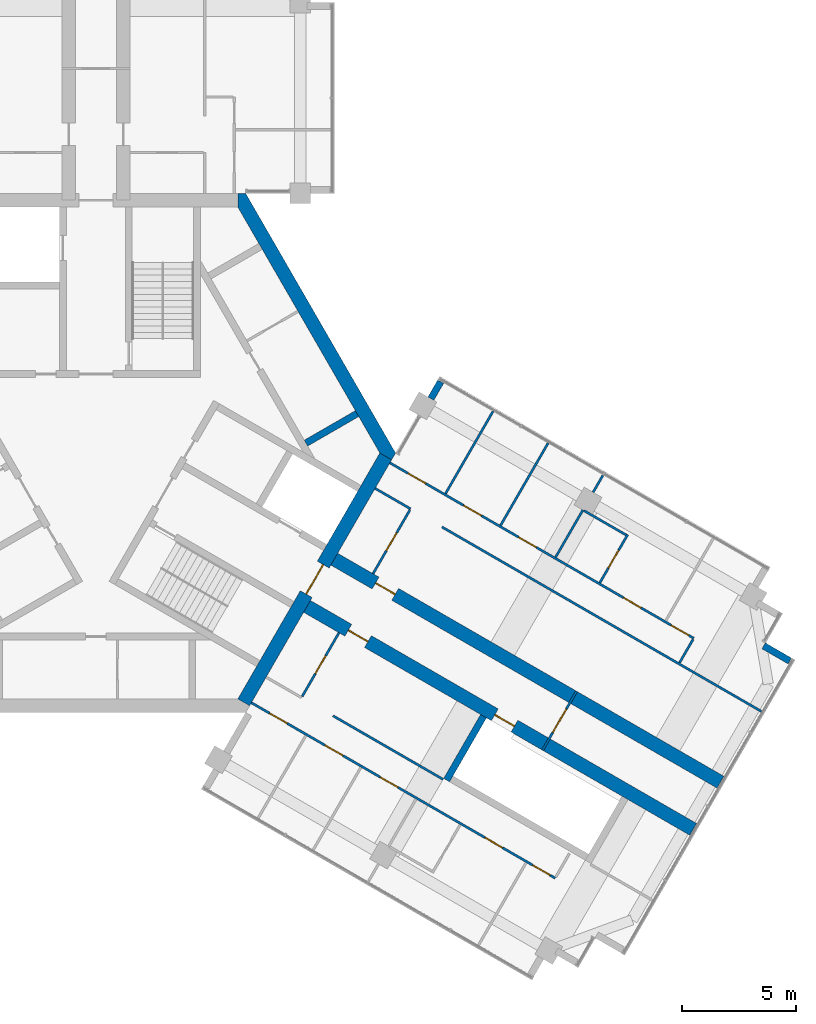
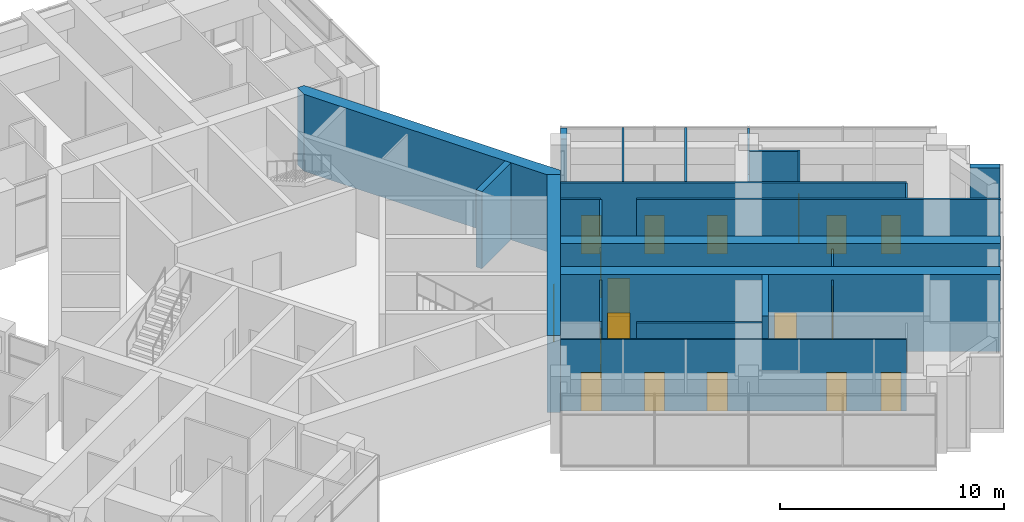
# One storey, part 11 of 14: 23 walls, 18 doors, 18 openings.
"""IFC4 building model written with IfcOpenShell, lengths in metres."""

from ifc_helpers import new_model, si_unit, direction, frame, frame_2d, origin, place, context, subcontext, project, spatial, polyline, rectangle, outline, extrude, material, layer, layer_set, type_object, element, fill, save


model = new_model("IFC4")

# Units and contexts
model_context = context("Model", 3, precision=1e-05, world=origin(), true_north=direction((0.0, 1.0)))
body_context = subcontext(model_context, "Body", "Model", "MODEL_VIEW")
ifc_project = project(units=[si_unit("LENGTHUNIT", "METRE"), si_unit("AREAUNIT", "SQUARE_METRE"), si_unit("VOLUMEUNIT", "CUBIC_METRE"), si_unit("PLANEANGLEUNIT", "RADIAN"), si_unit("MASSUNIT", "GRAM", prefix="KILO")], contexts=[model_context])

# Site, building, storey
site_placement = place(None, origin())
site = spatial("IfcSite", under=ifc_project, at=site_placement, CompositionType="ELEMENT")
building_placement = place(site_placement, origin())
building = spatial("IfcBuilding", under=site, at=building_placement, Name="Impinga Residences", CompositionType="ELEMENT")
storey_placement = place(building_placement, frame((0.0, 0.0, 291.550048828125)))
storey = spatial("IfcBuildingStorey", under=building, at=storey_placement, Name="L73", CompositionType="ELEMENT", Elevation=291.550048828125)

# Wall, opening, door
ifc_material_1 = material(Name="Concrete C60/75", Category="concrete")
ifc_layer_1 = layer(ifc_material_1, 0.60009765625)
ifc_layer_set_1 = layer_set([ifc_layer_1], Name="Concrete C60/75")
wall_type_1 = type_object("IfcWallType", Name="BW3 corridor buttress wall, L46 to L73 600", PredefinedType="SHEAR", material=ifc_layer_set_1)
wall_1_placement = place(storey_placement, frame((10.240234375, -4.526611328125, 0.0), z_axis=(0.0, 0.0, 1.0), x_axis=(0.866025922281, -0.499999101937, 0.0)))
wall_1 = element("IfcWall", 1, at=wall_1_placement, inside=storey, type_object=wall_type_1, Name="Corridor wall BW3 EC L73", PredefinedType="SHEAR", context=body_context, shape_type="SweptSolid", body=[
    extrude(rectangle(XDim=19.93798828125, YDim=0.60009765625, at=frame_2d((9.968994140625, 0.0))), origin(), (0.0, 0.0, 1.0), 4.199951171875),
])
opening_1_placement = place(wall_1_placement, frame((2.39990234375, 0.0, 0.0)))
opening_1 = element("IfcOpeningElement", 2, at=opening_1_placement, cuts=wall_1, Name="Opening D1", PredefinedType="OPENING", context=body_context, shape_type="SweptSolid", body=[
    extrude(rectangle(XDim=1.0, YDim=2.10009765625, at=frame_2d((0.5, 1.050048828125))), frame((0.0, 0.31005859375, 0.0), z_axis=(0.0, -1.0, 0.0), x_axis=(1.0, 0.0, 0.0)), (0.0, 0.0, 1.0), 0.6201171875),
])
ifc_material_2 = material(Name="Timber door set", Category="wood")
door_type_1 = type_object("IfcDoorType", Name="D1 apartment entrance door 1000x2100", OperationType="SINGLE_SWING_LEFT", PredefinedType="DOOR", material=ifc_material_2)
door_1_placement = place(opening_1_placement, origin())
door_1 = element("IfcDoor", 3, at=door_1_placement, inside=storey, type_object=door_type_1, Name="Apartment L73-EA1 entrance", OperationType="SINGLE_SWING_LEFT", OverallHeight=2.10009765625, OverallWidth=1.0, PredefinedType="DOOR", context=body_context, shape_type="SweptSolid", body=[
    extrude(rectangle(XDim=1.0, YDim=2.10009765625, at=frame_2d((0.5, 1.050048828125))), frame((0.0, 0.02490234375, 0.0), z_axis=(0.0, -1.0, 0.0), x_axis=(1.0, 0.0, 0.0)), (0.0, 0.0, 1.0), 0.050048828125),
])
fill(opening_1, door_1)

# Wall, openings, doors
wall_2_placement = place(storey_placement, frame((9.040283203125, -6.60498046875, 0.0), z_axis=(0.0, 0.0, 1.0), x_axis=(0.866025922281, -0.499999101937, 0.0)))
wall_2 = element("IfcWall", 4, at=wall_2_placement, inside=storey, type_object=wall_type_1, Name="Corridor wall BW3 ED L73", PredefinedType="SHEAR", context=body_context, shape_type="SweptSolid", body=[
    extrude(rectangle(XDim=19.93798828125, YDim=0.60009765625, at=frame_2d((9.968994140625, 0.0))), origin(), (0.0, 0.0, 1.0), 4.199951171875),
])
opening_2_placement = place(wall_2_placement, frame((9.85009765625, 0.0, 0.0)))
opening_2 = element("IfcOpeningElement", 5, at=opening_2_placement, cuts=wall_2, Name="Opening D5", PredefinedType="OPENING", context=body_context, shape_type="SweptSolid", body=[
    extrude(rectangle(XDim=1.0, YDim=2.10009765625, at=frame_2d((0.5, 1.050048828125))), frame((0.0, 0.31005859375, 0.0), z_axis=(0.0, -1.0, 0.0), x_axis=(1.0, 0.0, 0.0)), (0.0, 0.0, 1.0), 0.6201171875),
])
opening_3_placement = place(wall_2_placement, frame((2.39990234375, 0.0, 0.0)))
opening_3 = element("IfcOpeningElement", 6, at=opening_3_placement, cuts=wall_2, Name="Opening D1", PredefinedType="OPENING", context=body_context, shape_type="SweptSolid", body=[
    extrude(rectangle(XDim=1.0, YDim=2.10009765625, at=frame_2d((0.5, 1.050048828125))), frame((0.0, 0.31005859375, 0.0), z_axis=(0.0, -1.0, 0.0), x_axis=(1.0, 0.0, 0.0)), (0.0, 0.0, 1.0), 0.6201171875),
])
door_2_placement = place(opening_3_placement, origin())
door_2 = element("IfcDoor", 7, at=door_2_placement, inside=storey, type_object=door_type_1, Name="Apartment L73-EF1 entrance", OperationType="SINGLE_SWING_LEFT", OverallHeight=2.10009765625, OverallWidth=1.0, PredefinedType="DOOR", context=body_context, shape_type="SweptSolid", body=[
    extrude(rectangle(XDim=1.0, YDim=2.10009765625, at=frame_2d((0.5, 1.050048828125))), frame((0.0, 0.02490234375, 0.0), z_axis=(0.0, -1.0, 0.0), x_axis=(1.0, 0.0, 0.0)), (0.0, 0.0, 1.0), 0.050048828125),
])
fill(opening_3, door_2)
door_type_2 = type_object("IfcDoorType", Name="D5 stair door 1000x2100", OperationType="SINGLE_SWING_LEFT", PredefinedType="DOOR", material=ifc_material_2)
door_3_placement = place(opening_2_placement, origin())
door_3 = element("IfcDoor", 8, at=door_3_placement, inside=storey, type_object=door_type_2, Name="Wing stair door E", OperationType="SINGLE_SWING_RIGHT", OverallHeight=2.10009765625, OverallWidth=1.0, PredefinedType="DOOR", context=body_context, shape_type="SweptSolid", body=[
    extrude(rectangle(XDim=1.0, YDim=2.10009765625, at=frame_2d((0.5, 1.050048828125))), frame((0.0, 0.02490234375, 0.0), z_axis=(0.0, -1.0, 0.0), x_axis=(1.0, 0.0, 0.0)), (0.0, 0.0, 1.0), 0.050048828125),
])
fill(opening_2, door_3)

# Wall, opening, door
ifc_material_3 = material(Name="Concrete blockwork", Category="masonry")
ifc_layer_2 = layer(ifc_material_3, 0.10009765625)
ifc_layer_set_2 = layer_set([ifc_layer_2], Name="CP1 core room partition, blockwork 100")
wall_type_2 = type_object("IfcWallType", Name="CP1 core room partition, blockwork 100", PredefinedType="PARTITIONING", material=ifc_layer_set_2)
wall_3_placement = place(storey_placement, frame((21.172119140625, -10.49169921875, 0.0), z_axis=(0.0, 0.0, 1.0), x_axis=(-0.499990139034, -0.866031096941, 0.0)))
wall_3 = element("IfcWall", 9, at=wall_3_placement, inside=storey, type_object=wall_type_2, Name="Core room partition, blockwork L73:E:LNG", PredefinedType="PARTITIONING", context=body_context, shape_type="SweptSolid", body=[
    extrude(rectangle(XDim=3.0, YDim=0.10009765625, at=frame_2d((1.5, 0.0))), origin(), (0.0, 0.0, 1.0), 3.89990234375),
])
opening_4_placement = place(wall_3_placement, frame((0.89990234375, 0.0, 0.0)))
opening_4 = element("IfcOpeningElement", 10, at=opening_4_placement, cuts=wall_3, Name="Opening D3", PredefinedType="OPENING", context=body_context, shape_type="SweptSolid", body=[
    extrude(rectangle(XDim=1.199951171875, YDim=2.10009765625, at=frame_2d((0.60009765625, 1.050048828125))), frame((0.0, 0.06005859375, 0.0), z_axis=(0.0, -1.0, 0.0), x_axis=(1.0, 0.0, 0.0)), (0.0, 0.0, 1.0), 0.1201171875),
])
door_type_3 = type_object("IfcDoorType", Name="D3 room door, leaf and a half 1200x2100", OperationType="DOUBLE_SWING_LEFT", PredefinedType="DOOR", material=ifc_material_2)
door_4_placement = place(opening_4_placement, origin())
door_4 = element("IfcDoor", 11, at=door_4_placement, inside=storey, type_object=door_type_3, Name="Residents' lounge door E", OperationType="DOUBLE_SWING_LEFT", OverallHeight=2.10009765625, OverallWidth=1.199951171875, PredefinedType="DOOR", context=body_context, shape_type="SweptSolid", body=[
    extrude(rectangle(XDim=1.199951171875, YDim=2.10009765625, at=frame_2d((0.60009765625, 1.050048828125))), frame((0.0, 0.02490234375, 0.0), z_axis=(0.0, -1.0, 0.0), x_axis=(1.0, 0.0, 0.0)), (0.0, 0.0, 1.0), 0.050048828125),
])
fill(opening_4, door_4)

# Walls
ifc_material_4 = material(Name="Stone facing on blockwork", Category="masonry")
ifc_layer_3 = layer(ifc_material_4, 0.300048828125)
ifc_layer_set_3 = layer_set([ifc_layer_3], Name="EW2 external wall, stone facing on blockwork 300")
wall_type_3 = type_object("IfcWallType", Name="EW2 external wall, stone facing on blockwork 300", PredefinedType="SOLIDWALL", material=ifc_layer_set_3)
wall_4_placement = place(storey_placement, frame((29.41015625, -8.492919921875, 0.0), z_axis=(0.0, 0.0, 1.0), x_axis=(0.866020521143, -0.500008456887, 0.0)))
element("IfcWall", 12, at=wall_4_placement, inside=storey, type_object=wall_type_3, Name="External wall EW2 L73", PredefinedType="SOLIDWALL", context=body_context, shape_type="SweptSolid", body=[
    extrude(rectangle(XDim=1.330078125, YDim=0.300048828125, at=frame_2d((0.6650390625, 0.0))), origin(), (0.0, 0.0, 1.0), 3.89990234375),
])
wall_5_placement = place(storey_placement, frame((14.75634765625, 2.395751953125, 0.0), z_axis=(0.0, 0.0, 1.0), x_axis=(0.500098305348, 0.865968639725, 0.0)))
element("IfcWall", 13, at=wall_5_placement, inside=storey, type_object=wall_type_3, Name="External wall EW2 L73", PredefinedType="SOLIDWALL", context=body_context, shape_type="SweptSolid", body=[
    extrude(rectangle(XDim=0.862060546875, YDim=0.300048828125, at=frame_2d((0.43115234375, 0.0))), origin(), (0.0, 0.0, 1.0), 3.89990234375),
])
ifc_material_5 = material(Name="Gypsum board on steel studs", Category="steel")
ifc_layer_4 = layer(ifc_material_5, 0.10009765625)
ifc_layer_set_4 = layer_set([ifc_layer_4], Name="Gypsum board on steel studs")
wall_type_4 = type_object("IfcWallType", Name="IP1 partition 100", PredefinedType="PARTITIONING", material=ifc_layer_set_4)
wall_6_placement = place(storey_placement, frame((12.300048828125, -1.558837890625, 0.0), z_axis=(0.0, 0.0, 1.0), x_axis=(0.866047807691, -0.499961193289, 0.0)))
element("IfcWall", 14, at=wall_6_placement, inside=storey, type_object=wall_type_4, Name="Partition L73-EA1:DIV0", PredefinedType="PARTITIONING", context=body_context, shape_type="SweptSolid", body=[
    extrude(rectangle(XDim=1.800048828125, YDim=0.10009765625, at=frame_2d((0.89990234375, 0.0))), origin(), (0.0, 0.0, 1.0), 3.89990234375),
])
wall_7_placement = place(storey_placement, frame((15.244384765625, -3.2587890625, 0.0), z_axis=(0.0, 0.0, 1.0), x_axis=(0.866023082401, -0.500004020733, 0.0)))
element("IfcWall", 15, at=wall_7_placement, inside=storey, type_object=wall_type_4, Name="Partition L73-EA1:DIV1", PredefinedType="PARTITIONING", context=body_context, shape_type="SweptSolid", body=[
    extrude(rectangle(XDim=16.237060546875, YDim=0.10009765625, at=frame_2d((8.11865234375, 0.0))), origin(), (0.0, 0.0, 1.0), 3.89990234375),
])

# Wall, openings, doors
wall_8_placement = place(storey_placement, frame((12.949951171875, -0.43310546875, 0.0), z_axis=(0.0, 0.0, 1.0), x_axis=(0.866030066916, -0.499991923133, 0.0)))
wall_8 = element("IfcWall", 16, at=wall_8_placement, inside=storey, type_object=wall_type_4, Name="Partition L73-EA1:STRIP", PredefinedType="PARTITIONING", context=body_context, shape_type="SweptSolid", body=[
    extrude(rectangle(XDim=15.449951171875, YDim=0.10009765625, at=frame_2d((7.72509765625, 0.0))), origin(), (0.0, 0.0, 1.0), 3.89990234375),
])
opening_5_placement = place(wall_8_placement, frame((0.925048828125, 0.0, 0.0)))
opening_5 = element("IfcOpeningElement", 17, at=opening_5_placement, cuts=wall_8, Name="Opening D2", PredefinedType="OPENING", context=body_context, shape_type="SweptSolid", body=[
    extrude(rectangle(XDim=0.89990234375, YDim=2.10009765625, at=frame_2d((0.449951171875, 1.050048828125))), frame((0.0, 0.06005859375, 0.0), z_axis=(0.0, -1.0, 0.0), x_axis=(1.0, 0.0, 0.0)), (0.0, 0.0, 1.0), 0.1201171875),
])
opening_6_placement = place(wall_8_placement, frame((3.75, 0.0, 0.0)))
opening_6 = element("IfcOpeningElement", 18, at=opening_6_placement, cuts=wall_8, Name="Opening D2", PredefinedType="OPENING", context=body_context, shape_type="SweptSolid", body=[
    extrude(rectangle(XDim=0.89990234375, YDim=2.10009765625, at=frame_2d((0.449951171875, 1.050048828125))), frame((0.0, 0.06005859375, 0.0), z_axis=(0.0, -1.0, 0.0), x_axis=(1.0, 0.0, 0.0)), (0.0, 0.0, 1.0), 0.1201171875),
])
opening_7_placement = place(wall_8_placement, frame((6.550048828125, 0.0, 0.0)))
opening_7 = element("IfcOpeningElement", 19, at=opening_7_placement, cuts=wall_8, Name="Opening D2", PredefinedType="OPENING", context=body_context, shape_type="SweptSolid", body=[
    extrude(rectangle(XDim=0.89990234375, YDim=2.10009765625, at=frame_2d((0.449951171875, 1.050048828125))), frame((0.0, 0.06005859375, 0.0), z_axis=(0.0, -1.0, 0.0), x_axis=(1.0, 0.0, 0.0)), (0.0, 0.0, 1.0), 0.1201171875),
])
opening_8_placement = place(wall_8_placement, frame((11.875, 0.0, 0.0)))
opening_8 = element("IfcOpeningElement", 20, at=opening_8_placement, cuts=wall_8, Name="Opening D2", PredefinedType="OPENING", context=body_context, shape_type="SweptSolid", body=[
    extrude(rectangle(XDim=0.89990234375, YDim=2.10009765625, at=frame_2d((0.449951171875, 1.050048828125))), frame((0.0, 0.06005859375, 0.0), z_axis=(0.0, -1.0, 0.0), x_axis=(1.0, 0.0, 0.0)), (0.0, 0.0, 1.0), 0.1201171875),
])
opening_9_placement = place(wall_8_placement, frame((14.300048828125, 0.0, 0.0)))
opening_9 = element("IfcOpeningElement", 21, at=opening_9_placement, cuts=wall_8, Name="Opening D2", PredefinedType="OPENING", context=body_context, shape_type="SweptSolid", body=[
    extrude(rectangle(XDim=0.89990234375, YDim=2.10009765625, at=frame_2d((0.449951171875, 1.050048828125))), frame((0.0, 0.06005859375, 0.0), z_axis=(0.0, -1.0, 0.0), x_axis=(1.0, 0.0, 0.0)), (0.0, 0.0, 1.0), 0.1201171875),
])
door_type_4 = type_object("IfcDoorType", Name="D2 internal door 900x2100", OperationType="SINGLE_SWING_LEFT", PredefinedType="DOOR", material=ifc_material_2)
door_5_placement = place(opening_5_placement, origin())
door_5 = element("IfcDoor", 22, at=door_5_placement, inside=storey, type_object=door_type_4, Name="Apartment L73-EA1 room door", OperationType="SINGLE_SWING_LEFT", OverallHeight=2.10009765625, OverallWidth=0.89990234375, PredefinedType="DOOR", context=body_context, shape_type="SweptSolid", body=[
    extrude(rectangle(XDim=0.89990234375, YDim=2.10009765625, at=frame_2d((0.449951171875, 1.050048828125))), frame((0.0, 0.02490234375, 0.0), z_axis=(0.0, -1.0, 0.0), x_axis=(1.0, 0.0, 0.0)), (0.0, 0.0, 1.0), 0.050048828125),
])
fill(opening_5, door_5)
door_6_placement = place(opening_6_placement, origin())
door_6 = element("IfcDoor", 23, at=door_6_placement, inside=storey, type_object=door_type_4, Name="Apartment L73-EA1 room door", OperationType="SINGLE_SWING_LEFT", OverallHeight=2.10009765625, OverallWidth=0.89990234375, PredefinedType="DOOR", context=body_context, shape_type="SweptSolid", body=[
    extrude(rectangle(XDim=0.89990234375, YDim=2.10009765625, at=frame_2d((0.449951171875, 1.050048828125))), frame((0.0, 0.02490234375, 0.0), z_axis=(0.0, -1.0, 0.0), x_axis=(1.0, 0.0, 0.0)), (0.0, 0.0, 1.0), 0.050048828125),
])
fill(opening_6, door_6)
door_7_placement = place(opening_7_placement, origin())
door_7 = element("IfcDoor", 24, at=door_7_placement, inside=storey, type_object=door_type_4, Name="Apartment L73-EA1 room door", OperationType="SINGLE_SWING_LEFT", OverallHeight=2.10009765625, OverallWidth=0.89990234375, PredefinedType="DOOR", context=body_context, shape_type="SweptSolid", body=[
    extrude(rectangle(XDim=0.89990234375, YDim=2.10009765625, at=frame_2d((0.449951171875, 1.050048828125))), frame((0.0, 0.02490234375, 0.0), z_axis=(0.0, -1.0, 0.0), x_axis=(1.0, 0.0, 0.0)), (0.0, 0.0, 1.0), 0.050048828125),
])
fill(opening_7, door_7)
door_8_placement = place(opening_8_placement, origin())
door_8 = element("IfcDoor", 25, at=door_8_placement, inside=storey, type_object=door_type_4, Name="Apartment L73-EA1 room door", OperationType="SINGLE_SWING_RIGHT", OverallHeight=2.10009765625, OverallWidth=0.89990234375, PredefinedType="DOOR", context=body_context, shape_type="SweptSolid", body=[
    extrude(rectangle(XDim=0.89990234375, YDim=2.10009765625, at=frame_2d((0.449951171875, 1.050048828125))), frame((0.0, 0.02490234375, 0.0), z_axis=(0.0, -1.0, 0.0), x_axis=(1.0, 0.0, 0.0)), (0.0, 0.0, 1.0), 0.050048828125),
])
fill(opening_8, door_8)
door_9_placement = place(opening_9_placement, origin())
door_9 = element("IfcDoor", 26, at=door_9_placement, inside=storey, type_object=door_type_4, Name="Apartment L73-EA1 room door", OperationType="SINGLE_SWING_RIGHT", OverallHeight=2.10009765625, OverallWidth=0.89990234375, PredefinedType="DOOR", context=body_context, shape_type="SweptSolid", body=[
    extrude(rectangle(XDim=0.89990234375, YDim=2.10009765625, at=frame_2d((0.449951171875, 1.050048828125))), frame((0.0, 0.02490234375, 0.0), z_axis=(0.0, -1.0, 0.0), x_axis=(1.0, 0.0, 0.0)), (0.0, 0.0, 1.0), 0.050048828125),
])
fill(opening_9, door_9)

# Wall
wall_9_placement = place(storey_placement, frame((25.705078125, -9.240478515625, 0.0), z_axis=(0.0, 0.0, 1.0), x_axis=(0.50012165622, 0.865955154139, 0.0)))
element("IfcWall", 27, at=wall_9_placement, inside=storey, type_object=wall_type_4, Name="Partition L73-EA1:SE1", PredefinedType="PARTITIONING", context=body_context, shape_type="SweptSolid", body=[
    extrude(rectangle(XDim=1.199951171875, YDim=0.10009765625, at=frame_2d((0.60009765625, 0.0))), origin(), (0.0, 0.0, 1.0), 3.89990234375),
])

# Wall, opening, door
wall_10_placement = place(storey_placement, frame((12.208740234375, -5.316650390625, 0.0), z_axis=(0.0, 0.0, 1.0), x_axis=(0.500017246033, 0.866015446554, 0.0)))
wall_10 = element("IfcWall", 28, at=wall_10_placement, inside=storey, type_object=wall_type_4, Name="Partition L73-EA1:IB1", PredefinedType="PARTITIONING", context=body_context, shape_type="SweptSolid", body=[
    extrude(rectangle(XDim=3.25, YDim=0.10009765625, at=frame_2d((1.625, 0.0))), origin(), (0.0, 0.0, 1.0), 3.89990234375),
])
opening_10_placement = place(wall_10_placement, frame((1.175048828125, 0.0, 0.0)))
opening_10 = element("IfcOpeningElement", 29, at=opening_10_placement, cuts=wall_10, Name="Opening D2", PredefinedType="OPENING", context=body_context, shape_type="SweptSolid", body=[
    extrude(rectangle(XDim=0.89990234375, YDim=2.10009765625, at=frame_2d((0.449951171875, 1.050048828125))), frame((0.0, 0.06005859375, 0.0), z_axis=(0.0, -1.0, 0.0), x_axis=(1.0, 0.0, 0.0)), (0.0, 0.0, 1.0), 0.1201171875),
])
door_10_placement = place(opening_10_placement, origin())
door_10 = element("IfcDoor", 30, at=door_10_placement, inside=storey, type_object=door_type_4, Name="Apartment L73-EA1 bathroom door", OperationType="SINGLE_SWING_LEFT", OverallHeight=2.10009765625, OverallWidth=0.89990234375, PredefinedType="DOOR", context=body_context, shape_type="SweptSolid", body=[
    extrude(rectangle(XDim=0.89990234375, YDim=2.10009765625, at=frame_2d((0.449951171875, 1.050048828125))), frame((0.0, 0.02490234375, 0.0), z_axis=(0.0, -1.0, 0.0), x_axis=(1.0, 0.0, 0.0)), (0.0, 0.0, 1.0), 0.050048828125),
])
fill(opening_10, door_10)

# Walls
wall_11_placement = place(storey_placement, frame((15.39990234375, -1.789794921875, 0.0), z_axis=(0.0, 0.0, 1.0), x_axis=(0.499983227221, 0.866035087336, 0.0)))
element("IfcWall", 31, at=wall_11_placement, inside=storey, type_object=wall_type_4, Name="Partition L73-EA1:OB1", PredefinedType="PARTITIONING", context=body_context, shape_type="SweptSolid", body=[
    extrude(rectangle(XDim=4.187255859375, YDim=0.10009765625, at=frame_2d((2.09375, 0.0))), origin(), (0.0, 0.0, 1.0), 3.89990234375),
])
wall_12_placement = place(storey_placement, frame((17.82470703125, -3.189697265625, 0.0), z_axis=(0.0, 0.0, 1.0), x_axis=(0.500008475426, 0.86602051044, 0.0)))
element("IfcWall", 32, at=wall_12_placement, inside=storey, type_object=wall_type_4, Name="Partition L73-EA1:OB2", PredefinedType="PARTITIONING", context=body_context, shape_type="SweptSolid", body=[
    extrude(rectangle(XDim=4.18701171875, YDim=0.10009765625, at=frame_2d((2.093505859375, 0.0))), origin(), (0.0, 0.0, 1.0), 3.89990234375),
])
wall_13_placement = place(storey_placement, frame((20.24951171875, -4.589599609375, 0.0), z_axis=(0.0, 0.0, 1.0), x_axis=(0.500077600433, 0.865980596518, 0.0)))
element("IfcWall", 33, at=wall_13_placement, inside=storey, type_object=wall_type_4, Name="Partition L73-EA1:OB3", PredefinedType="PARTITIONING", context=body_context, shape_type="SweptSolid", body=[
    extrude(rectangle(XDim=2.39990234375, YDim=0.10009765625, at=frame_2d((1.199951171875, 0.0))), origin(), (0.0, 0.0, 1.0), 2.599853515625),
])
wall_14_placement = place(storey_placement, frame((21.899658203125, -1.73193359375, 0.0), z_axis=(0.0, 0.0, 1.0), x_axis=(0.499803706212, 0.866138704398, 0.0)))
element("IfcWall", 34, at=wall_14_placement, inside=storey, type_object=wall_type_4, Name="Partition L73-EA1:OB3b", PredefinedType="PARTITIONING", context=body_context, shape_type="SweptSolid", body=[
    extrude(rectangle(XDim=0.866943359375, YDim=0.10009765625, at=frame_2d((0.43359375, 0.0))), origin(), (0.0, 0.0, 1.0), 3.89990234375),
])

# Wall, opening, door
wall_15_placement = place(storey_placement, frame((22.1982421875, -5.714599609375, 0.0), z_axis=(0.0, 0.0, 1.0), x_axis=(0.499987006516, 0.866032905446, 0.0)))
wall_15 = element("IfcWall", 35, at=wall_15_placement, inside=storey, type_object=wall_type_4, Name="Partition L73-EA1:EN1", PredefinedType="PARTITIONING", context=body_context, shape_type="SweptSolid", body=[
    extrude(rectangle(XDim=2.44970703125, YDim=0.10009765625, at=frame_2d((1.224853515625, 0.0))), origin(), (0.0, 0.0, 1.0), 3.89990234375),
])
opening_11_placement = place(wall_15_placement, frame((0.75, 0.0, 0.0)))
opening_11 = element("IfcOpeningElement", 36, at=opening_11_placement, cuts=wall_15, Name="Opening D2", PredefinedType="OPENING", context=body_context, shape_type="SweptSolid", body=[
    extrude(rectangle(XDim=0.89990234375, YDim=2.10009765625, at=frame_2d((0.449951171875, 1.050048828125))), frame((0.0, 0.06005859375, 0.0), z_axis=(0.0, -1.0, 0.0), x_axis=(1.0, 0.0, 0.0)), (0.0, 0.0, 1.0), 0.1201171875),
])
door_11_placement = place(opening_11_placement, origin())
door_11 = element("IfcDoor", 37, at=door_11_placement, inside=storey, type_object=door_type_4, Name="Apartment L73-EA1 en-suite door", OperationType="SINGLE_SWING_LEFT", OverallHeight=2.10009765625, OverallWidth=0.89990234375, PredefinedType="DOOR", context=body_context, shape_type="SweptSolid", body=[
    extrude(rectangle(XDim=0.89990234375, YDim=2.10009765625, at=frame_2d((0.449951171875, 1.050048828125))), frame((0.0, 0.02490234375, 0.0), z_axis=(0.0, -1.0, 0.0), x_axis=(1.0, 0.0, 0.0)), (0.0, 0.0, 1.0), 0.050048828125),
])
fill(opening_11, door_11)

# Walls
wall_16_placement = place(storey_placement, frame((21.492919921875, -2.5361328125, 0.0), z_axis=(0.0, 0.0, 1.0), x_axis=(0.865998386012, -0.500046793234, 0.0)))
element("IfcWall", 38, at=wall_16_placement, inside=storey, type_object=wall_type_4, Name="Partition L73-EA1:EN2", PredefinedType="PARTITIONING", context=body_context, shape_type="SweptSolid", body=[
    extrude(rectangle(XDim=2.150146484375, YDim=0.10009765625, at=frame_2d((1.0751953125, 0.0))), origin(), (0.0, 0.0, 1.0), 3.89990234375),
])
wall_17_placement = place(storey_placement, frame((10.444580078125, -11.57275390625, 0.0), z_axis=(0.0, 0.0, 1.0), x_axis=(0.866015695474, -0.500016814911, 0.0)))
element("IfcWall", 39, at=wall_17_placement, inside=storey, type_object=wall_type_4, Name="Partition L73-EF1:DIV1", PredefinedType="PARTITIONING", context=body_context, shape_type="SweptSolid", body=[
    extrude(rectangle(XDim=5.599853515625, YDim=0.10009765625, at=frame_2d((2.7998046875, 0.0))), origin(), (0.0, 0.0, 1.0), 3.89990234375),
])

# Wall, openings, doors
wall_18_placement = place(storey_placement, frame((6.85009765625, -10.99853515625, 0.0), z_axis=(0.0, 0.0, 1.0), x_axis=(0.866019273868, -0.500010617176, 0.0)))
wall_18 = element("IfcWall", 40, at=wall_18_placement, inside=storey, type_object=wall_type_4, Name="Partition L73-EF1:STRIP", PredefinedType="PARTITIONING", context=body_context, shape_type="SweptSolid", body=[
    extrude(rectangle(XDim=15.449951171875, YDim=0.10009765625, at=frame_2d((7.72509765625, 0.0))), origin(), (0.0, 0.0, 1.0), 3.89990234375),
])
opening_12_placement = place(wall_18_placement, frame((0.925048828125, 0.0, 0.0)))
opening_12 = element("IfcOpeningElement", 41, at=opening_12_placement, cuts=wall_18, Name="Opening D2", PredefinedType="OPENING", context=body_context, shape_type="SweptSolid", body=[
    extrude(rectangle(XDim=0.89990234375, YDim=2.10009765625, at=frame_2d((0.449951171875, 1.050048828125))), frame((0.0, 0.06005859375, 0.0), z_axis=(0.0, -1.0, 0.0), x_axis=(1.0, 0.0, 0.0)), (0.0, 0.0, 1.0), 0.1201171875),
])
opening_13_placement = place(wall_18_placement, frame((3.75, 0.0, 0.0)))
opening_13 = element("IfcOpeningElement", 42, at=opening_13_placement, cuts=wall_18, Name="Opening D2", PredefinedType="OPENING", context=body_context, shape_type="SweptSolid", body=[
    extrude(rectangle(XDim=0.89990234375, YDim=2.10009765625, at=frame_2d((0.449951171875, 1.050048828125))), frame((0.0, 0.06005859375, 0.0), z_axis=(0.0, -1.0, 0.0), x_axis=(1.0, 0.0, 0.0)), (0.0, 0.0, 1.0), 0.1201171875),
])
opening_14_placement = place(wall_18_placement, frame((6.550048828125, 0.0, 0.0)))
opening_14 = element("IfcOpeningElement", 43, at=opening_14_placement, cuts=wall_18, Name="Opening D2", PredefinedType="OPENING", context=body_context, shape_type="SweptSolid", body=[
    extrude(rectangle(XDim=0.89990234375, YDim=2.10009765625, at=frame_2d((0.449951171875, 1.050048828125))), frame((0.0, 0.06005859375, 0.0), z_axis=(0.0, -1.0, 0.0), x_axis=(1.0, 0.0, 0.0)), (0.0, 0.0, 1.0), 0.1201171875),
])
opening_15_placement = place(wall_18_placement, frame((11.875, 0.0, 0.0)))
opening_15 = element("IfcOpeningElement", 44, at=opening_15_placement, cuts=wall_18, Name="Opening D2", PredefinedType="OPENING", context=body_context, shape_type="SweptSolid", body=[
    extrude(rectangle(XDim=0.89990234375, YDim=2.10009765625, at=frame_2d((0.449951171875, 1.050048828125))), frame((0.0, 0.06005859375, 0.0), z_axis=(0.0, -1.0, 0.0), x_axis=(1.0, 0.0, 0.0)), (0.0, 0.0, 1.0), 0.1201171875),
])
opening_16_placement = place(wall_18_placement, frame((14.300048828125, 0.0, 0.0)))
opening_16 = element("IfcOpeningElement", 45, at=opening_16_placement, cuts=wall_18, Name="Opening D2", PredefinedType="OPENING", context=body_context, shape_type="SweptSolid", body=[
    extrude(rectangle(XDim=0.89990234375, YDim=2.10009765625, at=frame_2d((0.449951171875, 1.050048828125))), frame((0.0, 0.06005859375, 0.0), z_axis=(0.0, -1.0, 0.0), x_axis=(1.0, 0.0, 0.0)), (0.0, 0.0, 1.0), 0.1201171875),
])
door_12_placement = place(opening_12_placement, origin())
door_12 = element("IfcDoor", 46, at=door_12_placement, inside=storey, type_object=door_type_4, Name="Apartment L73-EF1 room door", OperationType="SINGLE_SWING_LEFT", OverallHeight=2.10009765625, OverallWidth=0.89990234375, PredefinedType="DOOR", context=body_context, shape_type="SweptSolid", body=[
    extrude(rectangle(XDim=0.89990234375, YDim=2.10009765625, at=frame_2d((0.449951171875, 1.050048828125))), frame((0.0, 0.02490234375, 0.0), z_axis=(0.0, -1.0, 0.0), x_axis=(1.0, 0.0, 0.0)), (0.0, 0.0, 1.0), 0.050048828125),
])
fill(opening_12, door_12)
door_13_placement = place(opening_13_placement, origin())
door_13 = element("IfcDoor", 47, at=door_13_placement, inside=storey, type_object=door_type_4, Name="Apartment L73-EF1 room door", OperationType="SINGLE_SWING_LEFT", OverallHeight=2.10009765625, OverallWidth=0.89990234375, PredefinedType="DOOR", context=body_context, shape_type="SweptSolid", body=[
    extrude(rectangle(XDim=0.89990234375, YDim=2.10009765625, at=frame_2d((0.449951171875, 1.050048828125))), frame((0.0, 0.02490234375, 0.0), z_axis=(0.0, -1.0, 0.0), x_axis=(1.0, 0.0, 0.0)), (0.0, 0.0, 1.0), 0.050048828125),
])
fill(opening_13, door_13)
door_14_placement = place(opening_14_placement, origin())
door_14 = element("IfcDoor", 48, at=door_14_placement, inside=storey, type_object=door_type_4, Name="Apartment L73-EF1 room door", OperationType="SINGLE_SWING_LEFT", OverallHeight=2.10009765625, OverallWidth=0.89990234375, PredefinedType="DOOR", context=body_context, shape_type="SweptSolid", body=[
    extrude(rectangle(XDim=0.89990234375, YDim=2.10009765625, at=frame_2d((0.449951171875, 1.050048828125))), frame((0.0, 0.02490234375, 0.0), z_axis=(0.0, -1.0, 0.0), x_axis=(1.0, 0.0, 0.0)), (0.0, 0.0, 1.0), 0.050048828125),
])
fill(opening_14, door_14)
door_15_placement = place(opening_15_placement, origin())
door_15 = element("IfcDoor", 49, at=door_15_placement, inside=storey, type_object=door_type_4, Name="Apartment L73-EF1 room door", OperationType="SINGLE_SWING_RIGHT", OverallHeight=2.10009765625, OverallWidth=0.89990234375, PredefinedType="DOOR", context=body_context, shape_type="SweptSolid", body=[
    extrude(rectangle(XDim=0.89990234375, YDim=2.10009765625, at=frame_2d((0.449951171875, 1.050048828125))), frame((0.0, 0.02490234375, 0.0), z_axis=(0.0, -1.0, 0.0), x_axis=(1.0, 0.0, 0.0)), (0.0, 0.0, 1.0), 0.050048828125),
])
fill(opening_15, door_15)
door_16_placement = place(opening_16_placement, origin())
door_16 = element("IfcDoor", 50, at=door_16_placement, inside=storey, type_object=door_type_4, Name="Apartment L73-EF1 room door", OperationType="SINGLE_SWING_RIGHT", OverallHeight=2.10009765625, OverallWidth=0.89990234375, PredefinedType="DOOR", context=body_context, shape_type="SweptSolid", body=[
    extrude(rectangle(XDim=0.89990234375, YDim=2.10009765625, at=frame_2d((0.449951171875, 1.050048828125))), frame((0.0, 0.02490234375, 0.0), z_axis=(0.0, -1.0, 0.0), x_axis=(1.0, 0.0, 0.0)), (0.0, 0.0, 1.0), 0.050048828125),
])
fill(opening_16, door_16)

# Wall, opening, door
wall_19_placement = place(storey_placement, frame((10.708740234375, -7.914794921875, 0.0), z_axis=(0.0, 0.0, 1.0), x_axis=(-0.499984717929, -0.866034226713, 0.0)))
wall_19 = element("IfcWall", 51, at=wall_19_placement, inside=storey, type_object=wall_type_4, Name="Partition L73-EF1:IB1", PredefinedType="PARTITIONING", context=body_context, shape_type="SweptSolid", body=[
    extrude(rectangle(XDim=3.25, YDim=0.10009765625, at=frame_2d((1.625, 0.0))), origin(), (0.0, 0.0, 1.0), 3.89990234375),
])
opening_17_placement = place(wall_19_placement, frame((1.175048828125, 0.0, 0.0)))
opening_17 = element("IfcOpeningElement", 52, at=opening_17_placement, cuts=wall_19, Name="Opening D2", PredefinedType="OPENING", context=body_context, shape_type="SweptSolid", body=[
    extrude(rectangle(XDim=0.89990234375, YDim=2.10009765625, at=frame_2d((0.449951171875, 1.050048828125))), frame((0.0, 0.06005859375, 0.0), z_axis=(0.0, -1.0, 0.0), x_axis=(1.0, 0.0, 0.0)), (0.0, 0.0, 1.0), 0.1201171875),
])
door_17_placement = place(opening_17_placement, origin())
door_17 = element("IfcDoor", 53, at=door_17_placement, inside=storey, type_object=door_type_4, Name="Apartment L73-EF1 bathroom door", OperationType="SINGLE_SWING_LEFT", OverallHeight=2.10009765625, OverallWidth=0.89990234375, PredefinedType="DOOR", context=body_context, shape_type="SweptSolid", body=[
    extrude(rectangle(XDim=0.89990234375, YDim=2.10009765625, at=frame_2d((0.449951171875, 1.050048828125))), frame((0.0, 0.02490234375, 0.0), z_axis=(0.0, -1.0, 0.0), x_axis=(1.0, 0.0, 0.0)), (0.0, 0.0, 1.0), 0.050048828125),
])
fill(opening_17, door_17)

# Wall
ifc_layer_5 = layer(ifc_material_1, 0.300048828125)
ifc_layer_set_5 = layer_set([ifc_layer_5], Name="Concrete C60/75")
wall_type_5 = type_object("IfcWallType", Name="SE1 wing stair enclosure wall 300", PredefinedType="SOLIDWALL", material=ifc_layer_set_5)
wall_20_placement = place(storey_placement, frame((17.07421875, -11.58984375, 0.0), z_axis=(0.0, 0.0, 1.0), x_axis=(-0.500017246033, -0.866015446554, 0.0)))
element("IfcWall", 54, at=wall_20_placement, inside=storey, type_object=wall_type_5, Name="Stair enclosure wall SE1 E END0 L73", PredefinedType="SOLIDWALL", context=body_context, shape_type="SweptSolid", body=[
    extrude(rectangle(XDim=3.25, YDim=0.300048828125, at=frame_2d((1.625, 0.0))), origin(), (0.0, 0.0, 1.0), 4.199951171875),
])

# Wall, opening, door
ifc_layer_6 = layer(ifc_material_1, 0.60009765625)
ifc_layer_set_6 = layer_set([ifc_layer_6], Name="Concrete C60/75")
wall_type_6 = type_object("IfcWallType", Name="SW4 core wall, crown 600", PredefinedType="SHEAR", material=ifc_layer_set_6)
wall_21_placement = place(storey_placement, frame((12.76708984375, -0.14990234375, 0.0), z_axis=(0.0, 0.0, 1.0), x_axis=(-0.500004069281, -0.866023054371, 0.0)))
wall_21 = element("IfcWall", 55, at=wall_21_placement, inside=storey, type_object=wall_type_6, Name="Core wall SW4 E:FACE L73", PredefinedType="SHEAR", context=body_context, shape_type="SweptSolid", body=[
    extrude(rectangle(XDim=12.50732421875, YDim=0.60009765625, at=frame_2d((6.253662109375, 0.0))), origin(), (0.0, 0.0, 1.0), 4.199951171875),
])
opening_18_placement = place(wall_21_placement, frame((5.503662109375, 0.0, 0.0)))
opening_18 = element("IfcOpeningElement", 56, at=opening_18_placement, cuts=wall_21, Name="Opening D4", PredefinedType="OPENING", context=body_context, shape_type="SweptSolid", body=[
    extrude(rectangle(XDim=1.5, YDim=2.10009765625, at=frame_2d((0.75, 1.050048828125))), frame((0.0, 0.31005859375, 0.0), z_axis=(0.0, -1.0, 0.0), x_axis=(1.0, 0.0, 0.0)), (0.0, 0.0, 1.0), 0.6201171875),
])
door_type_5 = type_object("IfcDoorType", Name="D4 lobby door pair 1500x2100", OperationType="DOUBLE_DOOR_DOUBLE_SWING", PredefinedType="DOOR", material=ifc_material_2)
door_18_placement = place(opening_18_placement, origin())
door_18 = element("IfcDoor", 57, at=door_18_placement, inside=storey, type_object=door_type_5, Name="Lobby door E", OperationType="DOUBLE_DOOR_DOUBLE_SWING", OverallHeight=2.10009765625, OverallWidth=1.5, PredefinedType="DOOR", context=body_context, shape_type="SweptSolid", body=[
    extrude(rectangle(XDim=1.5, YDim=2.10009765625, at=frame_2d((0.75, 1.050048828125))), frame((0.0, 0.02490234375, 0.0), z_axis=(0.0, -1.0, 0.0), x_axis=(1.0, 0.0, 0.0)), (0.0, 0.0, 1.0), 0.050048828125),
])
fill(opening_18, door_18)

# Walls
wall_22_placement = place(storey_placement, origin())
element("IfcWall", 58, at=wall_22_placement, inside=storey, type_object=wall_type_6, Name="Core wall SW4 W:EXPOSED L73", PredefinedType="SHEAR", context=body_context, shape_type="SweptSolid", body=[
    extrude(outline(polyline([(13.199951171875, 0.0), (6.60009765625, 11.431640625), (6.253662109375, 11.431640625), (6.253662109375, 10.83154296875), (12.507080078125, 0.0), (13.02685546875, -0.300048828125), (13.199951171875, 0.0)])), origin(), (0.0, 0.0, 1.0), 4.199951171875),
])
ifc_material_6 = material(Name="Concrete C70/85", Category="concrete")
ifc_layer_7 = layer(ifc_material_6, 0.300048828125)
ifc_layer_set_7 = layer_set([ifc_layer_7], Name="Concrete C70/85")
wall_type_7 = type_object("IfcWallType", Name="SW5 core inner wall, stairs, shafts and lobbies 300", PredefinedType="SHEAR", material=ifc_layer_set_7)
wall_23_placement = place(storey_placement, frame((9.253662109375, 0.43505859375, 0.0), z_axis=(0.0, 0.0, 1.0), x_axis=(0.866021400173, 0.500006934395, 0.0)))
element("IfcWall", 59, at=wall_23_placement, inside=storey, type_object=wall_type_7, Name="Core wall SW5 W:BANK-R L73", PredefinedType="SHEAR", context=body_context, shape_type="SweptSolid", body=[
    extrude(rectangle(XDim=2.60009765625, YDim=0.300048828125, at=frame_2d((1.300048828125, 0.0))), origin(), (0.0, 0.0, 1.0), 4.199951171875),
])

save(model, "model.ifc")
